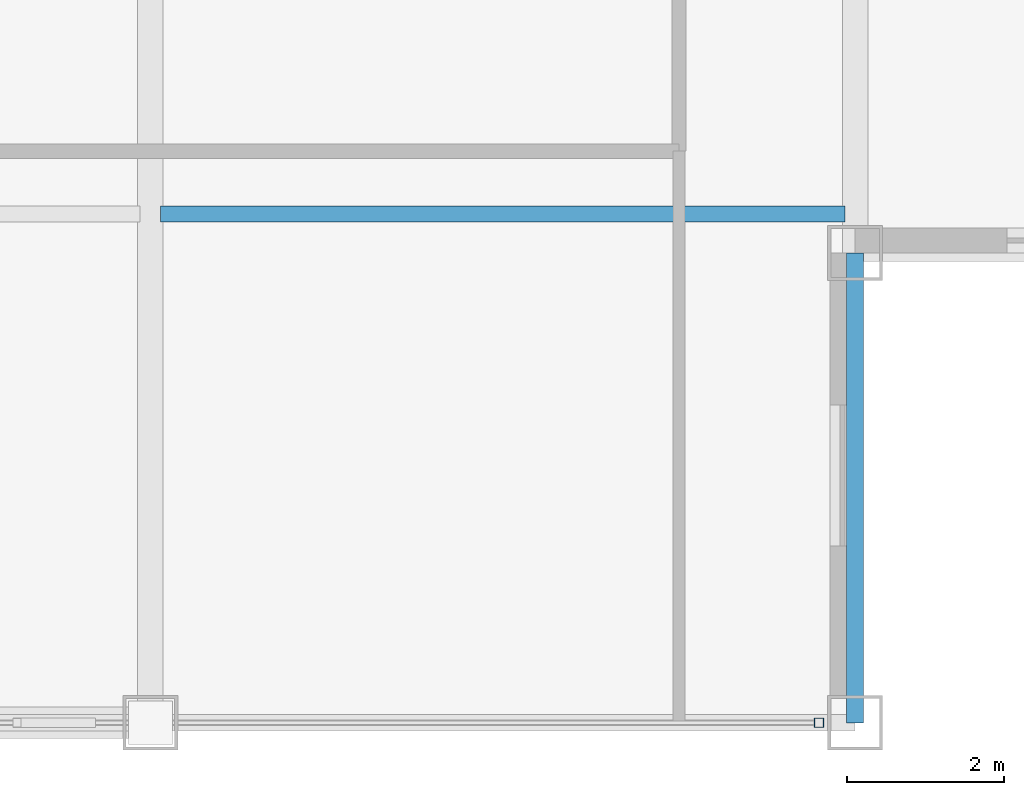
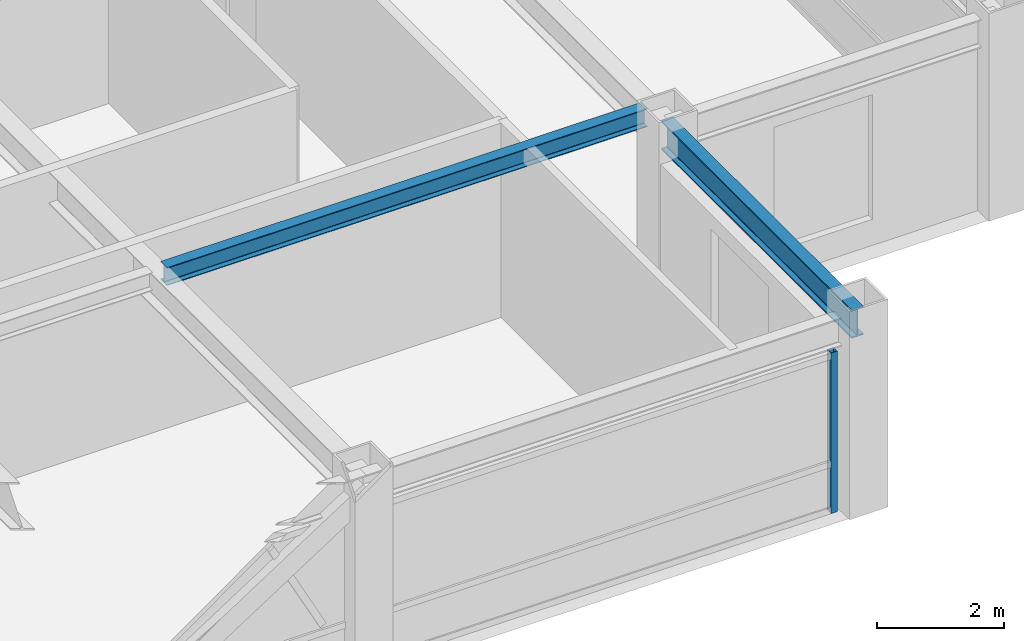
# One storey, part 8 of 29: 2 beams, 1 member, 1 element without a shape of its own.
"""IFC4 building model written with IfcOpenShell, lengths in metres."""

from ifc_helpers import new_model, si_unit, direction, frame, origin, origin_2d, place, context, subcontext, project, spatial, hollow_rectangle, i_section, extrude, source, transform, mapped, material, material_profile, profile_set, type_object, element, aggregate, save


model = new_model("IFC4")

# Units and contexts
model_context = context("Model", 3, precision=1e-05, world=origin(), true_north=direction((0.0, 1.0)))
body_context = subcontext(model_context, "Body", "Model", "MODEL_VIEW")
ifc_project = project(units=[si_unit("LENGTHUNIT", "METRE"), si_unit("AREAUNIT", "SQUARE_METRE"), si_unit("VOLUMEUNIT", "CUBIC_METRE"), si_unit("PLANEANGLEUNIT", "RADIAN"), si_unit("MASSUNIT", "GRAM", prefix="KILO")], contexts=[model_context])

# Site, building, storey
site_placement = place(None, origin())
site = spatial("IfcSite", under=ifc_project, at=site_placement, CompositionType="ELEMENT")
building_placement = place(site_placement, origin())
building = spatial("IfcBuilding", under=site, at=building_placement, Name="Khorayat Bourse Tower", CompositionType="ELEMENT")
storey_placement = place(building_placement, frame((0.0, 0.0, 358.300048828125)))
storey = spatial("IfcBuildingStorey", under=building, at=storey_placement, Name="L85", CompositionType="ELEMENT", Elevation=358.300048828125)

# Beams
ifc_material_1 = material(Name="Steel ASTM A992 Grade 50", Category="steel")
ifc_material_profile_1 = material_profile(ifc_material_1, i_section(OverallWidth=0.214111328125, OverallDepth=0.549072265625, WebThickness=0.0146484375, FlangeThickness=0.023681640625, FilletRadius=0.013916015625, at=origin_2d()), Name="W530X138")
ifc_profile_set_1 = profile_set([ifc_material_profile_1], Name="Steel ASTM A992 Grade 50")
beam_type_1 = type_object("IfcBeamType", Name="BM-SPAN-530", PredefinedType="SPANDREL", material=ifc_profile_set_1)
shared_shape_1 = source(origin(), body_context, "Body", "SweptSolid", [
    extrude(i_section(OverallWidth=0.214111328125, OverallDepth=0.549072265625, WebThickness=0.0146484375, FlangeThickness=0.023681640625, FilletRadius=0.013916015625, at=origin_2d()), origin(), (0.0, 0.0, 1.0), 6.0),
])
beam_1_placement = place(storey_placement, frame((20.0, -26.0, 3.46533203125), z_axis=(0.0, 1.0, 0.0), x_axis=(-1.0, 0.0, 0.0)))
element("IfcBeam", 1, at=beam_1_placement, inside=storey, type_object=beam_type_1, Name="L85 BM-SPAN-530 BM-L85-SPN-030", PredefinedType="SPANDREL", context=body_context, shape_type="MappedRepresentation", body=[
    mapped(shared_shape_1, transform((0.0, 0.0, 0.0), scale=1.0)),
])
ifc_material_profile_2 = material_profile(ifc_material_1, i_section(OverallWidth=0.202880859375, OverallDepth=0.346923828125, WebThickness=0.0078125, FlangeThickness=0.013427734375, FilletRadius=0.010009765625, at=origin_2d()), Name="W360X64")
ifc_profile_set_2 = profile_set([ifc_material_profile_2], Name="Steel ASTM A992 Grade 50")
beam_type_2 = type_object("IfcBeamType", Name="BM-JOIST-360", PredefinedType="JOIST", material=ifc_profile_set_2)
shared_shape_2 = source(origin(), body_context, "Body", "SweptSolid", [
    extrude(i_section(OverallWidth=0.202880859375, OverallDepth=0.346923828125, WebThickness=0.0078125, FlangeThickness=0.013427734375, FilletRadius=0.010009765625, at=origin_2d()), origin(), (0.0, 0.0, 1.0), 8.740234375),
])
beam_2_placement = place(storey_placement, frame((11.1298828125, -19.5, 3.56640625), z_axis=(1.0, 0.0, 0.0), x_axis=(0.0, 1.0, 0.0)))
element("IfcBeam", 2, at=beam_2_placement, inside=storey, type_object=beam_type_2, Name="L85 BM-JOIST-360 BM-L85-JSTX-082", PredefinedType="JOIST", context=body_context, shape_type="MappedRepresentation", body=[
    mapped(shared_shape_2, transform((0.0, 0.0, 0.0), scale=1.0)),
])

# Curtain wall, member
ifc_material_2 = material(Name="Aluminium EN AW-6063 T6", Category="aluminium")
curtain_wall_type = type_object("IfcCurtainWallType", Name="CW-SYS-04", PredefinedType="NOTDEFINED", material=ifc_material_2)
curtain_wall_placement = place(storey_placement, origin())
curtain_wall = element("IfcCurtainWall", 3, at=curtain_wall_placement, inside=storey, type_object=curtain_wall_type, Name="L85 Curtain Wall CW-L85-S1", PredefinedType="NOTDEFINED")
ifc_material_profile_3 = material_profile(ifc_material_2, hollow_rectangle(XDim=0.1201171875, YDim=0.1201171875, WallThickness=0.0048828125, at=origin_2d()), Name="ALU 120x120x5")
ifc_profile_set_3 = profile_set([ifc_material_profile_3], Name="Aluminium EN AW-6063 T6")
member_type = type_object("IfcMemberType", Name="CWM-VERT-120", PredefinedType="MULLION", material=ifc_profile_set_3)
shared_shape_3 = source(origin(), body_context, "Body", "SweptSolid", [
    extrude(hollow_rectangle(XDim=0.1201171875, YDim=0.1201171875, WallThickness=0.0048828125, at=origin_2d()), origin(), (0.0, 0.0, 1.0), 3.08984375),
])
member_placement = place(storey_placement, frame((19.5400390625, -26.0, 0.0), z_axis=(0.0, 0.0, 1.0), x_axis=(0.0, 1.0, 0.0)))
member = element("IfcMember", 4, at=member_placement, type_object=member_type, Name="CW-L85-S1 Vertical Mullion 3", PredefinedType="MULLION", context=body_context, shape_type="MappedRepresentation", body=[
    mapped(shared_shape_3, transform((0.0, 0.0, 0.0), scale=1.0)),
])
aggregate(curtain_wall, [member])

save(model, "model.ifc")
